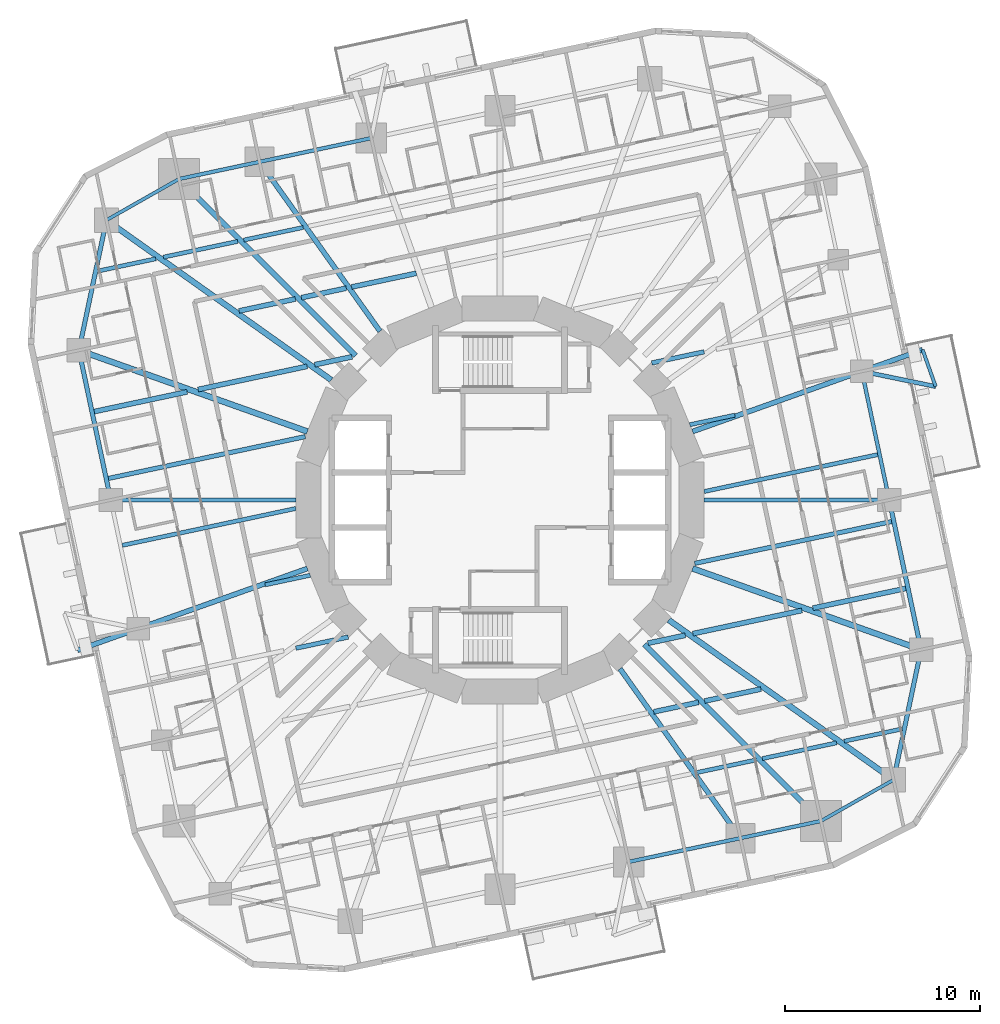
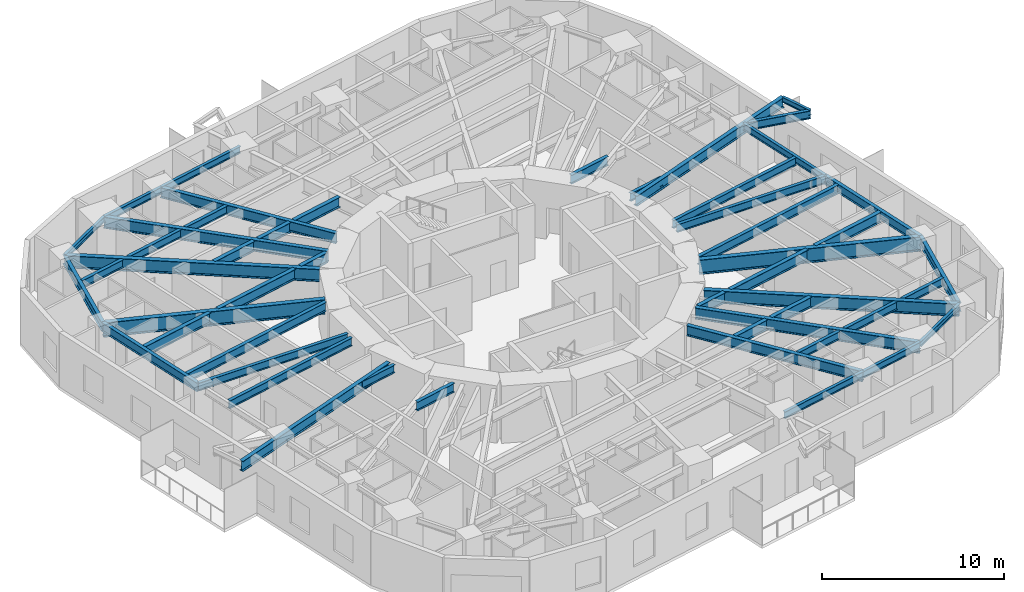
# One storey, part 2 of 14: 50 beams.
"""IFC4 building model written with IfcOpenShell, lengths in metres."""

from ifc_helpers import new_model, si_unit, direction, frame, origin, origin_2d, place, context, subcontext, project, spatial, i_section, extrude, material, material_profile, profile_set, type_object, element, save


model = new_model("IFC4")

# Units and contexts
model_context = context("Model", 3, precision=1e-05, world=origin(), true_north=direction((0.0, 1.0)))
body_context = subcontext(model_context, "Body", "Model", "MODEL_VIEW")
ifc_project = project(units=[si_unit("LENGTHUNIT", "METRE"), si_unit("AREAUNIT", "SQUARE_METRE"), si_unit("VOLUMEUNIT", "CUBIC_METRE"), si_unit("PLANEANGLEUNIT", "RADIAN"), si_unit("MASSUNIT", "GRAM", prefix="KILO")], contexts=[model_context])

# Site, building, storey
site_placement = place(None, origin())
site = spatial("IfcSite", under=ifc_project, at=site_placement, CompositionType="ELEMENT")
building_placement = place(site_placement, origin())
building = spatial("IfcBuilding", under=site, at=building_placement, Name="Nakasero Lantern House", CompositionType="ELEMENT")
storey_placement = place(building_placement, frame((0.0, 0.0, 112.699951171875)))
storey = spatial("IfcBuildingStorey", under=building, at=storey_placement, Name="L27", CompositionType="ELEMENT", Elevation=112.699951171875)

# Beams
ifc_material_1 = material(Name="Steel S355", Category="steel")
ifc_material_profile_1 = material_profile(ifc_material_1, i_section(OverallWidth=0.2138671875, OverallDepth=0.549072265625, WebThickness=0.0146484375, FlangeThickness=0.023681640625, FilletRadius=0.0126953125, at=origin_2d()), Name="UB 533x210x138")
ifc_profile_set_1 = profile_set([ifc_material_profile_1], Name="Steel S355")
beam_type_1 = type_object("IfcBeamType", Name="Balcony splay beam UB 533x210x138", PredefinedType="BEAM", material=ifc_profile_set_1)
beam_1_placement = place(storey_placement, frame((18.534912109375, 6.590087890625, 3.37548828125), z_axis=(0.979420272605, -0.201831438605, 0.0), x_axis=(0.201831438605, 0.979420272605, 0.0)))
element("IfcBeam", 1, at=beam_1_placement, inside=storey, type_object=beam_type_1, Name="Balcony splay beam L28 B3-C04A", PredefinedType="BEAM", context=body_context, shape_type="SweptSolid", body=[
    extrude(i_section(OverallWidth=0.2138671875, OverallDepth=0.549072265625, WebThickness=0.0146484375, FlangeThickness=0.023681640625, FilletRadius=0.0126953125, at=origin_2d()), origin(), (0.0, 0.0, 1.0), 3.858642578125),
])
ifc_material_2 = material(Name="Steel S355", Category="steel")
ifc_material_profile_2 = material_profile(ifc_material_2, i_section(OverallWidth=0.17138671875, OverallDepth=0.35498046875, WebThickness=0.00732421875, FlangeThickness=0.011474609375, FilletRadius=0.01025390625, at=origin_2d()), Name="UB 356x171x51")
ifc_profile_set_2 = profile_set([ifc_material_profile_2], Name="Steel S355")
beam_type_2 = type_object("IfcBeamType", Name="Balcony tie beam UB 356x171x51", PredefinedType="BEAM", material=ifc_profile_set_2)
beam_2_placement = place(storey_placement, frame((22.314208984375, 5.811279296875, 3.47265625), z_axis=(-0.335060236487, 0.942196708721, 0.0), x_axis=(-0.942196708721, -0.335060236487, 0.0)))
element("IfcBeam", 2, at=beam_2_placement, inside=storey, type_object=beam_type_2, Name="Balcony tie beam L28 B3-C04", PredefinedType="BEAM", context=body_context, shape_type="SweptSolid", body=[
    extrude(i_section(OverallWidth=0.17138671875, OverallDepth=0.35498046875, WebThickness=0.00732421875, FlangeThickness=0.011474609375, FilletRadius=0.01025390625, at=origin_2d()), origin(), (0.0, 0.0, 1.0), 2.000244140625),
])
ifc_material_3 = material(Name="Steel S355", Category="steel")
ifc_material_profile_3 = material_profile(ifc_material_3, i_section(OverallWidth=0.2099609375, OverallDepth=0.53662109375, WebThickness=0.0107421875, FlangeThickness=0.017333984375, FilletRadius=0.0126953125, at=origin_2d()), Name="UB 533x210x101")
ifc_profile_set_3 = profile_set([ifc_material_profile_3], Name="Steel S355")
beam_type_3 = type_object("IfcBeamType", Name="Infill beam UB 533x210x101", PredefinedType="JOIST", material=ifc_profile_set_3)
beam_3_placement = place(storey_placement, frame((10.0830078125, -13.958740234375, 3.381591796875), z_axis=(0.97813788874, 0.207957376908, 0.0), x_axis=(-0.207957376908, 0.97813788874, 0.0)))
element("IfcBeam", 3, at=beam_3_placement, inside=storey, type_object=beam_type_3, Name="Infill beam L28 03.5", PredefinedType="JOIST", context=body_context, shape_type="SweptSolid", body=[
    extrude(i_section(OverallWidth=0.2099609375, OverallDepth=0.53662109375, WebThickness=0.0107421875, FlangeThickness=0.017333984375, FilletRadius=0.0126953125, at=origin_2d()), origin(), (0.0, 0.0, 1.0), 3.108642578125),
])
beam_4_placement = place(storey_placement, frame((13.434814453125, -13.24609375, 3.381591796875), z_axis=(0.978152946383, 0.207886539924, 0.0), x_axis=(-0.207886539924, 0.978152946383, 0.0)))
element("IfcBeam", 4, at=beam_4_placement, inside=storey, type_object=beam_type_3, Name="Infill beam L28 03.6", PredefinedType="JOIST", context=body_context, shape_type="SweptSolid", body=[
    extrude(i_section(OverallWidth=0.2099609375, OverallDepth=0.53662109375, WebThickness=0.0107421875, FlangeThickness=0.017333984375, FilletRadius=0.0126953125, at=origin_2d()), origin(), (0.0, 0.0, 1.0), 3.888427734375),
])
beam_5_placement = place(storey_placement, frame((17.626708984375, -12.355224609375, 3.381591796875), z_axis=(0.978152299812, 0.207889582165, 0.0), x_axis=(-0.207889582165, 0.978152299812, 0.0)))
element("IfcBeam", 5, at=beam_5_placement, inside=storey, type_object=beam_type_3, Name="Infill beam L28 03.7", PredefinedType="JOIST", context=body_context, shape_type="SweptSolid", body=[
    extrude(i_section(OverallWidth=0.2099609375, OverallDepth=0.53662109375, WebThickness=0.0107421875, FlangeThickness=0.017333984375, FilletRadius=0.0126953125, at=origin_2d()), origin(), (0.0, 0.0, 1.0), 3.031005859375),
])
beam_6_placement = place(storey_placement, frame((-12.030029296875, -4.34619140625, 3.381591796875), z_axis=(0.97814938161, 0.207903312278, 0.0), x_axis=(-0.207903312278, 0.97814938161, 0.0)))
element("IfcBeam", 6, at=beam_6_placement, inside=storey, type_object=beam_type_3, Name="Infill beam L28 07.1", PredefinedType="JOIST", context=body_context, shape_type="SweptSolid", body=[
    extrude(i_section(OverallWidth=0.2099609375, OverallDepth=0.53662109375, WebThickness=0.0107421875, FlangeThickness=0.017333984375, FilletRadius=0.0126953125, at=origin_2d()), origin(), (0.0, 0.0, 1.0), 2.359130859375),
])
for number, where, z_axis, x_axis, name in (
    (7, (10.457763671875, 0.433837890625, 3.381591796875), (0.978146760676, 0.207915642939, 0.0), (-0.207915642939, 0.978146760676, 0.0), "Infill beam L28 07.2"),
    (8, (-19.34423828125, -2.32275390625, 3.381591796875), (0.978146760676, 0.207915642939, 0.0), (-0.207915642939, 0.978146760676, 0.0), "Infill beam L28 08.1"),
):
    element("IfcBeam", number, at=place(storey_placement, frame(where, z_axis=z_axis, x_axis=x_axis)), inside=storey, type_object=beam_type_3, Name=name, PredefinedType="JOIST", context=body_context, shape_type="SweptSolid", body=[
        extrude(i_section(OverallWidth=0.2099609375, OverallDepth=0.53662109375, WebThickness=0.0107421875, FlangeThickness=0.017333984375, FilletRadius=0.0126953125, at=origin_2d()), origin(), (0.0, 0.0, 1.0), 9.0849609375),
    ])
beam_7_placement = place(storey_placement, frame((9.722412109375, 3.855712890625, 3.381591796875), z_axis=(0.97814938161, 0.207903312278, 0.0), x_axis=(-0.207903312278, 0.97814938161, 0.0)))
element("IfcBeam", 9, at=beam_7_placement, inside=storey, type_object=beam_type_3, Name="Infill beam L28 08.2", PredefinedType="JOIST", context=body_context, shape_type="SweptSolid", body=[
    extrude(i_section(OverallWidth=0.2099609375, OverallDepth=0.53662109375, WebThickness=0.0107421875, FlangeThickness=0.017333984375, FilletRadius=0.0126953125, at=origin_2d()), origin(), (0.0, 0.0, 1.0), 2.359130859375),
])
beam_8_placement = place(storey_placement, frame((-20.591552734375, 11.72509765625, 3.381591796875), z_axis=(0.978152299812, 0.207889582165, 0.0), x_axis=(-0.207889582165, 0.978152299812, 0.0)))
element("IfcBeam", 10, at=beam_8_placement, inside=storey, type_object=beam_type_3, Name="Infill beam L28 12.1", PredefinedType="JOIST", context=body_context, shape_type="SweptSolid", body=[
    extrude(i_section(OverallWidth=0.2099609375, OverallDepth=0.53662109375, WebThickness=0.0107421875, FlangeThickness=0.017333984375, FilletRadius=0.0126953125, at=origin_2d()), origin(), (0.0, 0.0, 1.0), 3.031005859375),
])
beam_9_placement = place(storey_placement, frame((-17.23828125, 12.437744140625, 3.381591796875), z_axis=(0.978152946383, 0.207886539924, 0.0), x_axis=(-0.207886539924, 0.978152946383, 0.0)))
element("IfcBeam", 11, at=beam_9_placement, inside=storey, type_object=beam_type_3, Name="Infill beam L28 12.2", PredefinedType="JOIST", context=body_context, shape_type="SweptSolid", body=[
    extrude(i_section(OverallWidth=0.2099609375, OverallDepth=0.53662109375, WebThickness=0.0107421875, FlangeThickness=0.017333984375, FilletRadius=0.0126953125, at=origin_2d()), origin(), (0.0, 0.0, 1.0), 3.888427734375),
])
beam_10_placement = place(storey_placement, frame((-13.123779296875, 13.312255859375, 3.381591796875), z_axis=(0.97813788874, 0.207957376908, 0.0), x_axis=(-0.207957376908, 0.97813788874, 0.0)))
element("IfcBeam", 12, at=beam_10_placement, inside=storey, type_object=beam_type_3, Name="Infill beam L28 12.3", PredefinedType="JOIST", context=body_context, shape_type="SweptSolid", body=[
    extrude(i_section(OverallWidth=0.2099609375, OverallDepth=0.53662109375, WebThickness=0.0107421875, FlangeThickness=0.017333984375, FilletRadius=0.0126953125, at=origin_2d()), origin(), (0.0, 0.0, 1.0), 3.108642578125),
])
ifc_material_4 = material(Name="Steel S355", Category="steel")
ifc_material_profile_4 = material_profile(ifc_material_4, i_section(OverallWidth=0.2275390625, OverallDepth=0.6025390625, WebThickness=0.010498046875, FlangeThickness=0.014892578125, FilletRadius=0.0126953125, at=origin_2d()), Name="UB 610x229x101")
ifc_profile_set_4 = profile_set([ifc_material_profile_4], Name="Steel S355")
beam_type_4 = type_object("IfcBeamType", Name="Infill beam UB 610x229x101", PredefinedType="JOIST", material=ifc_profile_set_4)
beam_11_placement = place(storey_placement, frame((-10.453369140625, -7.58935546875, 3.3486328125), z_axis=(0.978139842642, 0.207948186423, 0.0), x_axis=(-0.207948186423, 0.978139842642, 0.0)))
element("IfcBeam", 13, at=beam_11_placement, inside=storey, type_object=beam_type_4, Name="Infill beam L28 06.2", PredefinedType="JOIST", context=body_context, shape_type="SweptSolid", body=[
    extrude(i_section(OverallWidth=0.2275390625, OverallDepth=0.6025390625, WebThickness=0.010498046875, FlangeThickness=0.014892578125, FilletRadius=0.0126953125, at=origin_2d()), origin(), (0.0, 0.0, 1.0), 2.74267578125),
])
for number, where, z_axis, x_axis, name in (
    (14, (9.974365234375, -3.2470703125, 3.3486328125), (0.978151564707, 0.207893040916, 0.0), (-0.207893040916, 0.978151564707, 0.0), "Infill beam L28 06.3"),
    (15, (-20.05419921875, 1.104736328125, 3.3486328125), (0.978151564707, 0.207893040916, 0.0), (-0.207893040916, 0.978151564707, 0.0), "Infill beam L28 09.1"),
):
    element("IfcBeam", number, at=place(storey_placement, frame(where, z_axis=z_axis, x_axis=x_axis)), inside=storey, type_object=beam_type_4, Name=name, PredefinedType="JOIST", context=body_context, shape_type="SweptSolid", body=[
        extrude(i_section(OverallWidth=0.2275390625, OverallDepth=0.6025390625, WebThickness=0.010498046875, FlangeThickness=0.014892578125, FilletRadius=0.0126953125, at=origin_2d()), origin(), (0.0, 0.0, 1.0), 10.304931640625),
    ])
beam_12_placement = place(storey_placement, frame((7.770751953125, 7.01904296875, 3.3486328125), z_axis=(0.978139842642, 0.207948186423, 0.0), x_axis=(-0.207948186423, 0.978139842642, 0.0)))
element("IfcBeam", 16, at=beam_12_placement, inside=storey, type_object=beam_type_4, Name="Infill beam L28 09.2", PredefinedType="JOIST", context=body_context, shape_type="SweptSolid", body=[
    extrude(i_section(OverallWidth=0.2275390625, OverallDepth=0.6025390625, WebThickness=0.010498046875, FlangeThickness=0.014892578125, FilletRadius=0.0126953125, at=origin_2d()), origin(), (0.0, 0.0, 1.0), 2.74267578125),
])
ifc_material_5 = material(Name="Steel S355", Category="steel")
ifc_material_profile_5 = material_profile(ifc_material_5, i_section(OverallWidth=0.253662109375, OverallDepth=0.68359375, WebThickness=0.012451171875, FlangeThickness=0.01904296875, FilletRadius=0.01513671875, at=origin_2d()), Name="UB 686x254x140")
ifc_profile_set_5 = profile_set([ifc_material_profile_5], Name="Steel S355")
beam_type_5 = type_object("IfcBeamType", Name="Infill beam UB 686x254x140", PredefinedType="JOIST", material=ifc_profile_set_5)
beam_13_placement = place(storey_placement, frame((7.872802734375, -10.850341796875, 3.308349609375), z_axis=(0.97813694426, 0.207961819271, 0.0), x_axis=(-0.207961819271, 0.97813694426, 0.0)))
element("IfcBeam", 17, at=beam_13_placement, inside=storey, type_object=beam_type_5, Name="Infill beam L28 04.5", PredefinedType="JOIST", context=body_context, shape_type="SweptSolid", body=[
    extrude(i_section(OverallWidth=0.253662109375, OverallDepth=0.68359375, WebThickness=0.012451171875, FlangeThickness=0.01904296875, FilletRadius=0.01513671875, at=origin_2d()), origin(), (0.0, 0.0, 1.0), 2.3515625),
])
for number, where, z_axis, x_axis, name in (
    (18, (10.48388671875, -10.295166015625, 3.308349609375), (0.978146839882, 0.207915270313, 0.0), (-0.207915270313, 0.978146839882, 0.0), "Infill beam L28 04.6"),
    (19, (-13.364501953125, 9.682861328125, 3.308349609375), (0.978146839882, 0.207915270313, 0.0), (-0.207915270313, 0.978146839882, 0.0), "Infill beam L28 11.1"),
):
    element("IfcBeam", number, at=place(storey_placement, frame(where, z_axis=z_axis, x_axis=x_axis)), inside=storey, type_object=beam_type_5, Name=name, PredefinedType="JOIST", context=body_context, shape_type="SweptSolid", body=[
        extrude(i_section(OverallWidth=0.253662109375, OverallDepth=0.68359375, WebThickness=0.012451171875, FlangeThickness=0.01904296875, FilletRadius=0.01513671875, at=origin_2d()), origin(), (0.0, 0.0, 1.0), 2.945068359375),
    ])
beam_14_placement = place(storey_placement, frame((-10.1728515625, 10.361328125, 3.308349609375), z_axis=(0.97813694426, 0.207961819271, 0.0), x_axis=(-0.207961819271, 0.97813694426, 0.0)))
element("IfcBeam", 20, at=beam_14_placement, inside=storey, type_object=beam_type_5, Name="Infill beam L28 11.2", PredefinedType="JOIST", context=body_context, shape_type="SweptSolid", body=[
    extrude(i_section(OverallWidth=0.253662109375, OverallDepth=0.68359375, WebThickness=0.012451171875, FlangeThickness=0.01904296875, FilletRadius=0.01513671875, at=origin_2d()), origin(), (0.0, 0.0, 1.0), 2.3515625),
])
beam_15_placement = place(storey_placement, frame((-7.60009765625, 10.908203125, 3.308349609375), z_axis=(0.978143084163, 0.207932938478, 0.0), x_axis=(-0.207932938478, 0.978143084163, 0.0)))
element("IfcBeam", 21, at=beam_15_placement, inside=storey, type_object=beam_type_5, Name="Infill beam L28 11.3", PredefinedType="JOIST", context=body_context, shape_type="SweptSolid", body=[
    extrude(i_section(OverallWidth=0.253662109375, OverallDepth=0.68359375, WebThickness=0.012451171875, FlangeThickness=0.01904296875, FilletRadius=0.01513671875, at=origin_2d()), origin(), (0.0, 0.0, 1.0), 3.385009765625),
])
ifc_material_6 = material(Name="Steel S355", Category="steel")
ifc_material_profile_6 = material_profile(ifc_material_6, i_section(OverallWidth=0.255859375, OverallDepth=0.69287109375, WebThickness=0.014404296875, FlangeThickness=0.023681640625, FilletRadius=0.01513671875, at=origin_2d()), Name="UB 686x254x170")
ifc_profile_set_6 = profile_set([ifc_material_profile_6], Name="Steel S355")
beam_type_6 = type_object("IfcBeamType", Name="Infill beam UB 686x254x170", PredefinedType="JOIST", material=ifc_profile_set_6)
beam_16_placement = place(storey_placement, frame((7.5771484375, -7.3349609375, 3.3037109375), z_axis=(0.978142670498, 0.207934884401, 0.0), x_axis=(-0.207934884401, 0.978142670498, 0.0)))
element("IfcBeam", 22, at=beam_16_placement, inside=storey, type_object=beam_type_6, Name="Infill beam L28 05.3", PredefinedType="JOIST", context=body_context, shape_type="SweptSolid", body=[
    extrude(i_section(OverallWidth=0.255859375, OverallDepth=0.69287109375, WebThickness=0.014404296875, FlangeThickness=0.023681640625, FilletRadius=0.01513671875, at=origin_2d()), origin(), (0.0, 0.0, 1.0), 1.9560546875),
])
beam_17_placement = place(storey_placement, frame((9.87890625, -6.845703125, 3.3037109375), z_axis=(0.978148855575, 0.207905787166, 0.0), x_axis=(-0.207905787166, 0.978148855575, 0.0)))
element("IfcBeam", 23, at=beam_17_placement, inside=storey, type_object=beam_type_6, Name="Infill beam L28 05.4", PredefinedType="JOIST", context=body_context, shape_type="SweptSolid", body=[
    extrude(i_section(OverallWidth=0.255859375, OverallDepth=0.69287109375, WebThickness=0.014404296875, FlangeThickness=0.023681640625, FilletRadius=0.01513671875, at=origin_2d()), origin(), (0.0, 0.0, 1.0), 5.711669921875),
])
for number, where, z_axis, x_axis, name in (
    (24, (16.026123046875, -5.5390625, 3.3037109375), (0.978141363358, 0.207941033198, 0.0), (-0.207941033198, 0.978141363358, 0.0), "Infill beam L28 05.5"),
    (25, (-20.78173828125, 4.528076171875, 3.3037109375), (0.978141363358, 0.207941033198, 0.0), (-0.207941033198, 0.978141363358, 0.0), "Infill beam L28 10.1"),
):
    element("IfcBeam", number, at=place(storey_placement, frame(where, z_axis=z_axis, x_axis=x_axis)), inside=storey, type_object=beam_type_6, Name=name, PredefinedType="JOIST", context=body_context, shape_type="SweptSolid", body=[
        extrude(i_section(OverallWidth=0.255859375, OverallDepth=0.69287109375, WebThickness=0.014404296875, FlangeThickness=0.023681640625, FilletRadius=0.01513671875, at=origin_2d()), origin(), (0.0, 0.0, 1.0), 4.86181640625),
    ])
beam_18_placement = place(storey_placement, frame((-15.4658203125, 5.658203125, 3.3037109375), z_axis=(0.978148855575, 0.207905787166, 0.0), x_axis=(-0.207905787166, 0.978148855575, 0.0)))
element("IfcBeam", 26, at=beam_18_placement, inside=storey, type_object=beam_type_6, Name="Infill beam L28 10.2", PredefinedType="JOIST", context=body_context, shape_type="SweptSolid", body=[
    extrude(i_section(OverallWidth=0.255859375, OverallDepth=0.69287109375, WebThickness=0.014404296875, FlangeThickness=0.023681640625, FilletRadius=0.01513671875, at=origin_2d()), origin(), (0.0, 0.0, 1.0), 5.711669921875),
])
beam_19_placement = place(storey_placement, frame((-9.490478515625, 6.92822265625, 3.3037109375), z_axis=(0.978142670498, 0.207934884401, 0.0), x_axis=(-0.207934884401, 0.978142670498, 0.0)))
element("IfcBeam", 27, at=beam_19_placement, inside=storey, type_object=beam_type_6, Name="Infill beam L28 10.3", PredefinedType="JOIST", context=body_context, shape_type="SweptSolid", body=[
    extrude(i_section(OverallWidth=0.255859375, OverallDepth=0.69287109375, WebThickness=0.014404296875, FlangeThickness=0.023681640625, FilletRadius=0.01513671875, at=origin_2d()), origin(), (0.0, 0.0, 1.0), 1.9560546875),
])
ifc_material_7 = material(Name="Steel S355", Category="steel")
ifc_material_profile_7 = material_profile(ifc_material_7, i_section(OverallWidth=0.300048828125, OverallDepth=0.97998046875, WebThickness=0.0166015625, FlangeThickness=0.02587890625, FilletRadius=0.030029296875, at=origin_2d()), Name="UB 1016x305x249")
ifc_profile_set_7 = profile_set([ifc_material_profile_7], Name="Steel S355")
beam_type_7 = type_object("IfcBeamType", Name="Primary beam UB 1016x305x249, span 12 to 15 m", PredefinedType="BEAM", material=ifc_profile_set_7)
for number, where, z_axis, x_axis, name in (
    (28, (21.5654296875, -7.667724609375, 3.159912109375), (-0.942213862739, 0.335011995103, 0.0), (-0.335011995103, -0.942213862739, 0.0), "Primary beam L28 B3-C02"),
    (29, (-21.5654296875, 7.667724609375, 3.159912109375), (0.942213862739, -0.335011995103, 0.0), (0.335011995103, 0.942213862739, 0.0), "Primary beam L28 B3-C14"),
):
    element("IfcBeam", number, at=place(storey_placement, frame(where, z_axis=z_axis, x_axis=x_axis)), inside=storey, type_object=beam_type_7, Name=name, PredefinedType="BEAM", context=body_context, shape_type="SweptSolid", body=[
        extrude(i_section(OverallWidth=0.300048828125, OverallDepth=0.97998046875, WebThickness=0.0166015625, FlangeThickness=0.02587890625, FilletRadius=0.030029296875, at=origin_2d()), origin(), (0.0, 0.0, 1.0), 12.41650390625),
    ])
ifc_material_8 = material(Name="Steel S355", Category="steel")
ifc_material_profile_8 = material_profile(ifc_material_8, i_section(OverallWidth=0.208740234375, OverallDepth=0.5283203125, WebThickness=0.009521484375, FlangeThickness=0.01318359375, FilletRadius=0.0126953125, at=origin_2d()), Name="UB 533x210x82")
ifc_profile_set_8 = profile_set([ifc_material_profile_8], Name="Steel S355")
beam_type_8 = type_object("IfcBeamType", Name="Primary beam UB 533x210x82, span 9 to 12 m", PredefinedType="BEAM", material=ifc_profile_set_8)
for number, where, z_axis, x_axis, name in (
    (30, (19.935546875, 0.0, 3.385986328125), (-1.0, 0.0, 0.0), (0.0, -1.0, 0.0), "Primary beam L28 B3-C03"),
    (31, (-19.935546875, 0.0, 3.385986328125), (1.0, 0.0, 0.0), (0.0, 1.0, 0.0), "Primary beam L28 B3-C15"),
):
    element("IfcBeam", number, at=place(storey_placement, frame(where, z_axis=z_axis, x_axis=x_axis)), inside=storey, type_object=beam_type_8, Name=name, PredefinedType="BEAM", context=body_context, shape_type="SweptSolid", body=[
        extrude(i_section(OverallWidth=0.208740234375, OverallDepth=0.5283203125, WebThickness=0.009521484375, FlangeThickness=0.01318359375, FilletRadius=0.0126953125, at=origin_2d()), origin(), (0.0, 0.0, 1.0), 9.477783203125),
    ])
ifc_material_9 = material(Name="Steel S355", Category="steel")
ifc_material_profile_9 = material_profile(ifc_material_9, i_section(OverallWidth=0.255859375, OverallDepth=0.69287109375, WebThickness=0.014404296875, FlangeThickness=0.023681640625, FilletRadius=0.01513671875, at=origin_2d()), Name="UB 686x254x170")
ifc_profile_set_9 = profile_set([ifc_material_profile_9], Name="Steel S355")
beam_type_9 = type_object("IfcBeamType", Name="Primary beam UB 686x254x170, span 9 to 12 m", PredefinedType="BEAM", material=ifc_profile_set_9)
beam_20_placement = place(storey_placement, frame((21.64404296875, 7.69580078125, 3.3037109375), z_axis=(-0.942210717159, -0.335020841845, 0.0), x_axis=(0.335020841845, -0.942210717159, 0.0)))
element("IfcBeam", 32, at=beam_20_placement, inside=storey, type_object=beam_type_9, Name="Primary beam L28 B3-C04", PredefinedType="BEAM", context=body_context, shape_type="SweptSolid", body=[
    extrude(i_section(OverallWidth=0.255859375, OverallDepth=0.69287109375, WebThickness=0.014404296875, FlangeThickness=0.023681640625, FilletRadius=0.01513671875, at=origin_2d()), origin(), (0.0, 0.0, 1.0), 12.5),
])
beam_21_placement = place(storey_placement, frame((-12.31494140625, 17.318115234375, 3.3037109375), z_axis=(0.579520739774, -0.814957491022, 0.0), x_axis=(0.814957491022, 0.579520739774, 0.0)))
element("IfcBeam", 33, at=beam_21_placement, inside=storey, type_object=beam_type_9, Name="Primary beam L28 B3-C11", PredefinedType="BEAM", context=body_context, shape_type="SweptSolid", body=[
    extrude(i_section(OverallWidth=0.255859375, OverallDepth=0.69287109375, WebThickness=0.014404296875, FlangeThickness=0.023681640625, FilletRadius=0.01513671875, at=origin_2d()), origin(), (0.0, 0.0, 1.0), 10.64453125),
])
beam_22_placement = place(storey_placement, frame((-21.64404296875, -7.69580078125, 3.3037109375), z_axis=(0.942210717159, 0.335020841845, 0.0), x_axis=(-0.335020841845, 0.942210717159, 0.0)))
element("IfcBeam", 34, at=beam_22_placement, inside=storey, type_object=beam_type_9, Name="Primary beam L28 B3-C16", PredefinedType="BEAM", context=body_context, shape_type="SweptSolid", body=[
    extrude(i_section(OverallWidth=0.255859375, OverallDepth=0.69287109375, WebThickness=0.014404296875, FlangeThickness=0.023681640625, FilletRadius=0.01513671875, at=origin_2d()), origin(), (0.0, 0.0, 1.0), 12.5),
])
beam_23_placement = place(storey_placement, frame((12.31494140625, -17.318115234375, 3.3037109375), z_axis=(-0.579520739774, 0.814957491022, 0.0), x_axis=(-0.814957491022, -0.579520739774, 0.0)))
element("IfcBeam", 35, at=beam_23_placement, inside=storey, type_object=beam_type_9, Name="Primary beam L28 B3-C23", PredefinedType="BEAM", context=body_context, shape_type="SweptSolid", body=[
    extrude(i_section(OverallWidth=0.255859375, OverallDepth=0.69287109375, WebThickness=0.014404296875, FlangeThickness=0.023681640625, FilletRadius=0.01513671875, at=origin_2d()), origin(), (0.0, 0.0, 1.0), 10.64453125),
])
ifc_material_10 = material(Name="Steel S355", Category="steel")
ifc_material_profile_10 = material_profile(ifc_material_10, i_section(OverallWidth=0.2666015625, OverallDepth=0.76220703125, WebThickness=0.014404296875, FlangeThickness=0.021484375, FilletRadius=0.0166015625, at=origin_2d()), Name="UB 762x267x173")
ifc_profile_set_10 = profile_set([ifc_material_profile_10], Name="Steel S355")
beam_type_10 = type_object("IfcBeamType", Name="Primary beam UB 762x267x173, span 12 to 15 m", PredefinedType="BEAM", material=ifc_profile_set_10)
for number, where, z_axis, x_axis, name in (
    (36, (-16.44091796875, 16.44091796875, 3.26904296875), (0.707106781187, -0.707106781187, 0.0), (0.707106781187, 0.707106781187, 0.0), "Primary beam L28 B3-C12"),
    (37, (16.44091796875, -16.44091796875, 3.26904296875), (-0.707106781187, 0.707106781187, 0.0), (-0.707106781187, -0.707106781187, 0.0), "Primary beam L28 B3-C24"),
):
    element("IfcBeam", number, at=place(storey_placement, frame(where, z_axis=z_axis, x_axis=x_axis)), inside=storey, type_object=beam_type_10, Name=name, PredefinedType="BEAM", context=body_context, shape_type="SweptSolid", body=[
        extrude(i_section(OverallWidth=0.2666015625, OverallDepth=0.76220703125, WebThickness=0.014404296875, FlangeThickness=0.021484375, FilletRadius=0.0166015625, at=origin_2d()), origin(), (0.0, 0.0, 1.0), 12.793212890625),
    ])
ifc_material_11 = material(Name="Steel S355", Category="steel")
ifc_material_profile_11 = material_profile(ifc_material_11, i_section(OverallWidth=0.29248046875, OverallDepth=0.8408203125, WebThickness=0.0146484375, FlangeThickness=0.02685546875, FilletRadius=0.017822265625, at=origin_2d()), Name="UB 838x292x194")
ifc_profile_set_11 = profile_set([ifc_material_profile_11], Name="Steel S355")
beam_type_11 = type_object("IfcBeamType", Name="Primary beam UB 838x292x194, span 12 to 15 m", PredefinedType="BEAM", material=ifc_profile_set_11)
for number, where, z_axis, x_axis, name in (
    (38, (20.15625, -14.33349609375, 3.229736328125), (-0.814946074386, 0.57953679421, 0.0), (-0.57953679421, -0.814946074386, 0.0), "Primary beam L28 B3-C01"),
    (39, (-20.15625, 14.33349609375, 3.229736328125), (0.814946074386, -0.57953679421, 0.0), (0.57953679421, 0.814946074386, 0.0), "Primary beam L28 B3-C13"),
):
    element("IfcBeam", number, at=place(storey_placement, frame(where, z_axis=z_axis, x_axis=x_axis)), inside=storey, type_object=beam_type_11, Name=name, PredefinedType="BEAM", context=body_context, shape_type="SweptSolid", body=[
        extrude(i_section(OverallWidth=0.29248046875, OverallDepth=0.8408203125, WebThickness=0.0146484375, FlangeThickness=0.02685546875, FilletRadius=0.017822265625, at=origin_2d()), origin(), (0.0, 0.0, 1.0), 14.127197265625),
    ])
ifc_material_12 = material(Name="Steel S355", Category="steel")
ifc_material_profile_12 = material_profile(ifc_material_12, i_section(OverallWidth=0.17138671875, OverallDepth=0.35498046875, WebThickness=0.00732421875, FlangeThickness=0.011474609375, FilletRadius=0.01025390625, at=origin_2d()), Name="UB 356x171x51")
ifc_profile_set_12 = profile_set([ifc_material_profile_12], Name="Steel S355")
beam_type_12 = type_object("IfcBeamType", Name="Ring beam UB 356x171x51", PredefinedType="BEAM", material=ifc_profile_set_12)
for number, where, z_axis, x_axis, name in (
    (40, (-16.44091796875, 16.44091796875, 3.47265625), (-0.869814536213, -0.493378832737, 0.0), (0.493378832737, -0.869814536213, 0.0), "Ring beam L28 B3-C12"),
    (41, (16.44091796875, -16.44091796875, 3.47265625), (0.869814536213, 0.493378832737, 0.0), (-0.493378832737, 0.869814536213, 0.0), "Ring beam L28 B3-C24"),
):
    element("IfcBeam", number, at=place(storey_placement, frame(where, z_axis=z_axis, x_axis=x_axis)), inside=storey, type_object=beam_type_12, Name=name, PredefinedType="BEAM", context=body_context, shape_type="SweptSolid", body=[
        extrude(i_section(OverallWidth=0.17138671875, OverallDepth=0.35498046875, WebThickness=0.00732421875, FlangeThickness=0.011474609375, FilletRadius=0.01025390625, at=origin_2d()), origin(), (0.0, 0.0, 1.0), 4.271484375),
    ])
ifc_material_13 = material(Name="Steel S355", Category="steel")
ifc_material_profile_13 = material_profile(ifc_material_13, i_section(OverallWidth=0.19140625, OverallDepth=0.4599609375, WebThickness=0.010009765625, FlangeThickness=0.01611328125, FilletRadius=0.01025390625, at=origin_2d()), Name="UB 457x191x82")
ifc_profile_set_13 = profile_set([ifc_material_profile_13], Name="Steel S355")
beam_type_13 = type_object("IfcBeamType", Name="Ring beam UB 457x191x82", PredefinedType="BEAM", material=ifc_profile_set_13)
beam_24_placement = place(storey_placement, frame((19.935546875, 0.0, 3.420166015625), z_axis=(-0.20789299389, 0.978151574702, 0.0), x_axis=(-0.978151574702, -0.20789299389, 0.0)))
element("IfcBeam", 42, at=beam_24_placement, inside=storey, type_object=beam_type_13, Name="Ring beam L28 B3-C03", PredefinedType="BEAM", context=body_context, shape_type="SweptSolid", body=[
    extrude(i_section(OverallWidth=0.19140625, OverallDepth=0.4599609375, WebThickness=0.010009765625, FlangeThickness=0.01611328125, FilletRadius=0.01025390625, at=origin_2d()), origin(), (0.0, 0.0, 1.0), 6.7373046875),
])
beam_25_placement = place(storey_placement, frame((-6.590087890625, 18.534912109375, 3.420166015625), z_axis=(-0.978149626621, -0.207902159541, 0.0), x_axis=(0.207902159541, -0.978149626621, 0.0)))
element("IfcBeam", 43, at=beam_25_placement, inside=storey, type_object=beam_type_13, Name="Ring beam L28 B3-C10", PredefinedType="BEAM", context=body_context, shape_type="SweptSolid", body=[
    extrude(i_section(OverallWidth=0.19140625, OverallDepth=0.4599609375, WebThickness=0.010009765625, FlangeThickness=0.01611328125, FilletRadius=0.01025390625, at=origin_2d()), origin(), (0.0, 0.0, 1.0), 5.852783203125),
])
beam_26_placement = place(storey_placement, frame((-12.31494140625, 17.318115234375, 3.420166015625), z_axis=(-0.978138252658, -0.207955665195, 0.0), x_axis=(0.207955665195, -0.978138252658, 0.0)))
element("IfcBeam", 44, at=beam_26_placement, inside=storey, type_object=beam_type_13, Name="Ring beam L28 B3-C11", PredefinedType="BEAM", context=body_context, shape_type="SweptSolid", body=[
    extrude(i_section(OverallWidth=0.19140625, OverallDepth=0.4599609375, WebThickness=0.010009765625, FlangeThickness=0.01611328125, FilletRadius=0.01025390625, at=origin_2d()), origin(), (0.0, 0.0, 1.0), 4.21826171875),
])
beam_27_placement = place(storey_placement, frame((6.590087890625, -18.534912109375, 3.420166015625), z_axis=(0.978149626621, 0.207902159541, 0.0), x_axis=(-0.207902159541, 0.978149626621, 0.0)))
element("IfcBeam", 45, at=beam_27_placement, inside=storey, type_object=beam_type_13, Name="Ring beam L28 B3-C22", PredefinedType="BEAM", context=body_context, shape_type="SweptSolid", body=[
    extrude(i_section(OverallWidth=0.19140625, OverallDepth=0.4599609375, WebThickness=0.010009765625, FlangeThickness=0.01611328125, FilletRadius=0.01025390625, at=origin_2d()), origin(), (0.0, 0.0, 1.0), 5.852783203125),
])
beam_28_placement = place(storey_placement, frame((12.31494140625, -17.318115234375, 3.420166015625), z_axis=(0.978138252658, 0.207955665195, 0.0), x_axis=(-0.207955665195, 0.978138252658, 0.0)))
element("IfcBeam", 46, at=beam_28_placement, inside=storey, type_object=beam_type_13, Name="Ring beam L28 B3-C23", PredefinedType="BEAM", context=body_context, shape_type="SweptSolid", body=[
    extrude(i_section(OverallWidth=0.19140625, OverallDepth=0.4599609375, WebThickness=0.010009765625, FlangeThickness=0.01611328125, FilletRadius=0.01025390625, at=origin_2d()), origin(), (0.0, 0.0, 1.0), 4.21826171875),
])
ifc_material_14 = material(Name="Steel S355", Category="steel")
ifc_material_profile_14 = material_profile(ifc_material_14, i_section(OverallWidth=0.2275390625, OverallDepth=0.6025390625, WebThickness=0.010498046875, FlangeThickness=0.014892578125, FilletRadius=0.0126953125, at=origin_2d()), Name="UB 610x229x101")
ifc_profile_set_14 = profile_set([ifc_material_profile_14], Name="Steel S355")
beam_type_14 = type_object("IfcBeamType", Name="Ring beam UB 610x229x101", PredefinedType="BEAM", material=ifc_profile_set_14)
beam_29_placement = place(storey_placement, frame((20.15625, -14.33349609375, 3.3486328125), z_axis=(0.206833925052, 0.978376066473, 0.0), x_axis=(-0.978376066473, 0.206833925052, 0.0)))
element("IfcBeam", 47, at=beam_29_placement, inside=storey, type_object=beam_type_14, Name="Ring beam L28 B3-C01", PredefinedType="BEAM", context=body_context, shape_type="SweptSolid", body=[
    extrude(i_section(OverallWidth=0.2275390625, OverallDepth=0.6025390625, WebThickness=0.010498046875, FlangeThickness=0.014892578125, FilletRadius=0.0126953125, at=origin_2d()), origin(), (0.0, 0.0, 1.0), 6.81298828125),
])
beam_30_placement = place(storey_placement, frame((21.5654296875, -7.667724609375, 3.3486328125), z_axis=(-0.207918725139, 0.978146105516, 0.0), x_axis=(-0.978146105516, -0.207918725139, 0.0)))
element("IfcBeam", 48, at=beam_30_placement, inside=storey, type_object=beam_type_14, Name="Ring beam L28 B3-C02", PredefinedType="BEAM", context=body_context, shape_type="SweptSolid", body=[
    extrude(i_section(OverallWidth=0.2275390625, OverallDepth=0.6025390625, WebThickness=0.010498046875, FlangeThickness=0.014892578125, FilletRadius=0.0126953125, at=origin_2d()), origin(), (0.0, 0.0, 1.0), 7.839111328125),
])
beam_31_placement = place(storey_placement, frame((-20.15625, 14.33349609375, 3.3486328125), z_axis=(-0.206833925052, -0.978376066473, 0.0), x_axis=(0.978376066473, -0.206833925052, 0.0)))
element("IfcBeam", 49, at=beam_31_placement, inside=storey, type_object=beam_type_14, Name="Ring beam L28 B3-C13", PredefinedType="BEAM", context=body_context, shape_type="SweptSolid", body=[
    extrude(i_section(OverallWidth=0.2275390625, OverallDepth=0.6025390625, WebThickness=0.010498046875, FlangeThickness=0.014892578125, FilletRadius=0.0126953125, at=origin_2d()), origin(), (0.0, 0.0, 1.0), 6.81298828125),
])
beam_32_placement = place(storey_placement, frame((-21.5654296875, 7.667724609375, 3.3486328125), z_axis=(0.207918725139, -0.978146105516, 0.0), x_axis=(0.978146105516, 0.207918725139, 0.0)))
element("IfcBeam", 50, at=beam_32_placement, inside=storey, type_object=beam_type_14, Name="Ring beam L28 B3-C14", PredefinedType="BEAM", context=body_context, shape_type="SweptSolid", body=[
    extrude(i_section(OverallWidth=0.2275390625, OverallDepth=0.6025390625, WebThickness=0.010498046875, FlangeThickness=0.014892578125, FilletRadius=0.0126953125, at=origin_2d()), origin(), (0.0, 0.0, 1.0), 7.839111328125),
])

save(model, "model.ifc")
